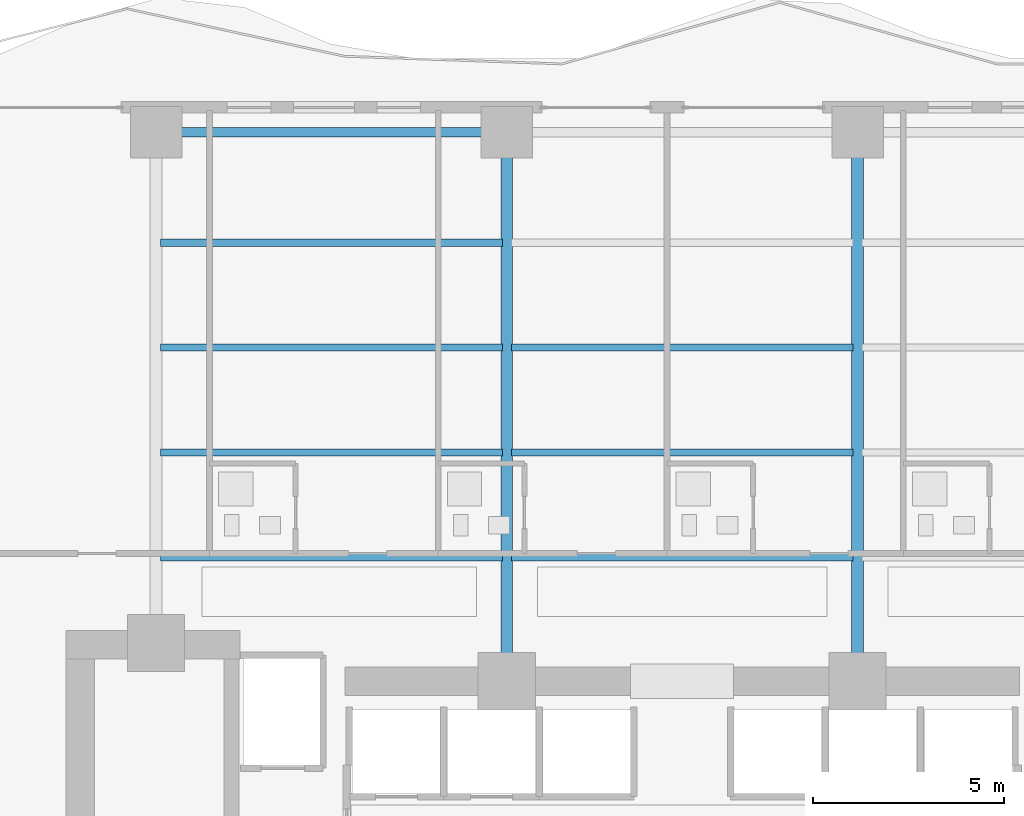
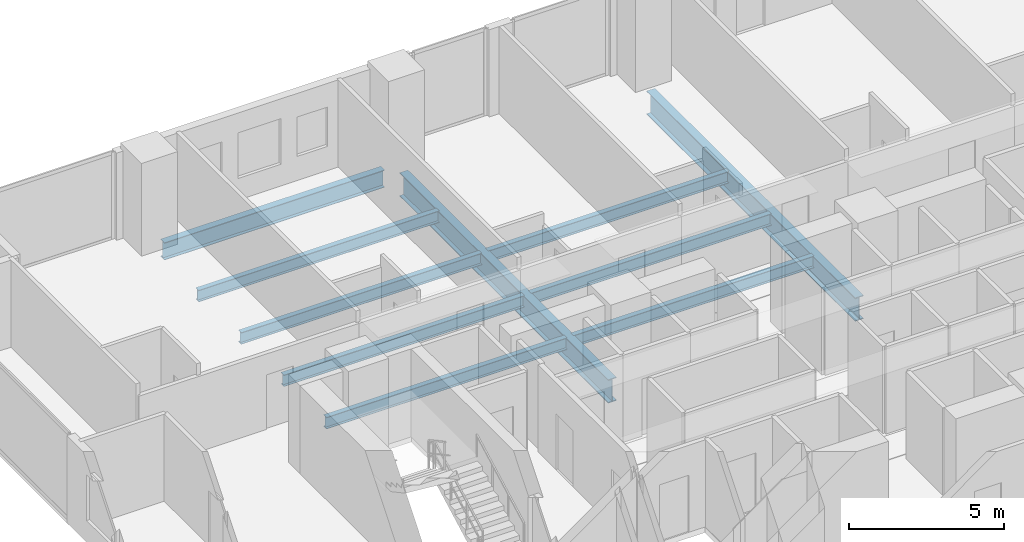
# One storey, part 15 of 28: 10 beams.
"""IFC4 building model written with IfcOpenShell, lengths in metres."""

from ifc_helpers import new_model, si_unit, direction, frame, origin, origin_2d, place, context, subcontext, project, spatial, i_section, extrude, material, material_profile, profile_set, type_object, element, save


model = new_model("IFC4")

# Units and contexts
model_context = context("Model", 3, precision=1e-05, world=origin(), true_north=direction((0.0, 1.0)))
body_context = subcontext(model_context, "Body", "Model", "MODEL_VIEW")
ifc_project = project(units=[si_unit("LENGTHUNIT", "METRE"), si_unit("AREAUNIT", "SQUARE_METRE"), si_unit("VOLUMEUNIT", "CUBIC_METRE"), si_unit("PLANEANGLEUNIT", "RADIAN"), si_unit("MASSUNIT", "GRAM", prefix="KILO")], contexts=[model_context])

# Site, building, storey
site_placement = place(None, origin())
site = spatial("IfcSite", under=ifc_project, at=site_placement, CompositionType="ELEMENT")
building_placement = place(site_placement, origin())
building = spatial("IfcBuilding", under=site, at=building_placement, Name="Zuhayl Quay Hotel", CompositionType="ELEMENT")
storey_placement = place(building_placement, frame((0.0, 0.0, 99.300048828125)))
storey = spatial("IfcBuildingStorey", under=building, at=storey_placement, Name="L24", CompositionType="ELEMENT", Elevation=99.300048828125)

# Beams
ifc_material = material(Name="Steel ASTM A992 Grade 50", Category="steel")
ifc_material_profile_1 = material_profile(ifc_material, i_section(OverallWidth=0.25390625, OverallDepth=0.68310546875, WebThickness=0.012451171875, FlangeThickness=0.018798828125, at=origin_2d()), Name="W27X94")
ifc_profile_set_1 = profile_set([ifc_material_profile_1], Name="Steel ASTM A992 Grade 50")
beam_type_1 = type_object("IfcBeamType", Name="BM_B2_W27X94", PredefinedType="BEAM", material=ifc_profile_set_1)
beam_placement = place(storey_placement, frame((-5.10009765625, 27.75, -0.5615234375), z_axis=(-1.0, 0.0, 0.0), x_axis=(0.0, -1.0, 0.0)))
element("IfcBeam", 1, at=beam_placement, inside=storey, type_object=beam_type_1, Name="L24 Floor Beam RG_L24_09", PredefinedType="BEAM", context=body_context, shape_type="SweptSolid", body=[
    extrude(i_section(OverallWidth=0.25390625, OverallDepth=0.68310546875, WebThickness=0.012451171875, FlangeThickness=0.018798828125, at=origin_2d()), origin(), (0.0, 0.0, 1.0), 8.199951171875),
])
ifc_material_profile_2 = material_profile(ifc_material, i_section(OverallWidth=0.18994140625, OverallDepth=0.45703125, WebThickness=0.009033203125, FlangeThickness=0.014404296875, at=origin_2d()), Name="W18X50")
ifc_profile_set_2 = profile_set([ifc_material_profile_2], Name="Steel ASTM A992 Grade 50")
beam_type_2 = type_object("IfcBeamType", Name="BM_J2_W18X50", PredefinedType="JOIST", material=ifc_profile_set_2)
for number, where, z_axis, x_axis, name in (
    (2, (-13.680908203125, 16.60009765625, -0.448486328125), (1.0, 0.0, 0.0), (0.0, 1.0, 0.0), "L24 Floor Beam FJ_L24_1_1"),
    (3, (-4.48095703125, 16.60009765625, -0.448486328125), (1.0, 0.0, 0.0), (0.0, 1.0, 0.0), "L24 Floor Beam FJ_L24_1_2"),
    (4, (-13.680908203125, 19.35009765625, -0.448486328125), (1.0, 0.0, 0.0), (0.0, 1.0, 0.0), "L24 Floor Beam FJ_L24_2_1"),
    (5, (-4.48095703125, 19.35009765625, -0.448486328125), (1.0, 0.0, 0.0), (0.0, 1.0, 0.0), "L24 Floor Beam FJ_L24_2_2"),
    (6, (-13.680908203125, 22.10009765625, -0.448486328125), (1.0, 0.0, 0.0), (0.0, 1.0, 0.0), "L24 Floor Beam FJ_L24_3_1"),
    (7, (-4.48095703125, 22.10009765625, -0.448486328125), (1.0, 0.0, 0.0), (0.0, 1.0, 0.0), "L24 Floor Beam FJ_L24_3_2"),
    (8, (-13.680908203125, 24.85009765625, -0.448486328125), (1.0, 0.0, 0.0), (0.0, 1.0, 0.0), "L24 Floor Beam FJ_L24_4_1"),
):
    element("IfcBeam", number, at=place(storey_placement, frame(where, z_axis=z_axis, x_axis=x_axis)), inside=storey, type_object=beam_type_2, Name=name, PredefinedType="JOIST", context=body_context, shape_type="SweptSolid", body=[
        extrude(i_section(OverallWidth=0.18994140625, OverallDepth=0.45703125, WebThickness=0.009033203125, FlangeThickness=0.014404296875, at=origin_2d()), origin(), (0.0, 0.0, 1.0), 8.9619140625),
    ])
ifc_material_profile_3 = material_profile(ifc_material, i_section(OverallWidth=0.306884765625, OverallDepth=0.927001953125, WebThickness=0.019287109375, FlangeThickness=0.031982421875, at=origin_2d()), Name="W36X194")
ifc_profile_set_3 = profile_set([ifc_material_profile_3], Name="Steel ASTM A992 Grade 50")
beam_type_3 = type_object("IfcBeamType", Name="BM_PG2_W36X194", PredefinedType="BEAM", material=ifc_profile_set_3)
for number, where, z_axis, x_axis, name in (
    (9, (-4.60009765625, 13.800048828125, -0.68359375), (0.0, 1.0, 0.0), (-1.0, 0.0, 0.0), "L24 Floor Beam FG_N_L24_2"),
    (10, (4.60009765625, 13.800048828125, -0.68359375), (0.0, 1.0, 0.0), (-1.0, 0.0, 0.0), "L24 Floor Beam FG_N_L24_3"),
):
    element("IfcBeam", number, at=place(storey_placement, frame(where, z_axis=z_axis, x_axis=x_axis)), inside=storey, type_object=beam_type_3, Name=name, PredefinedType="BEAM", context=body_context, shape_type="SweptSolid", body=[
        extrude(i_section(OverallWidth=0.306884765625, OverallDepth=0.927001953125, WebThickness=0.019287109375, FlangeThickness=0.031982421875, at=origin_2d()), origin(), (0.0, 0.0, 1.0), 13.449951171875),
    ])

save(model, "model.ifc")
